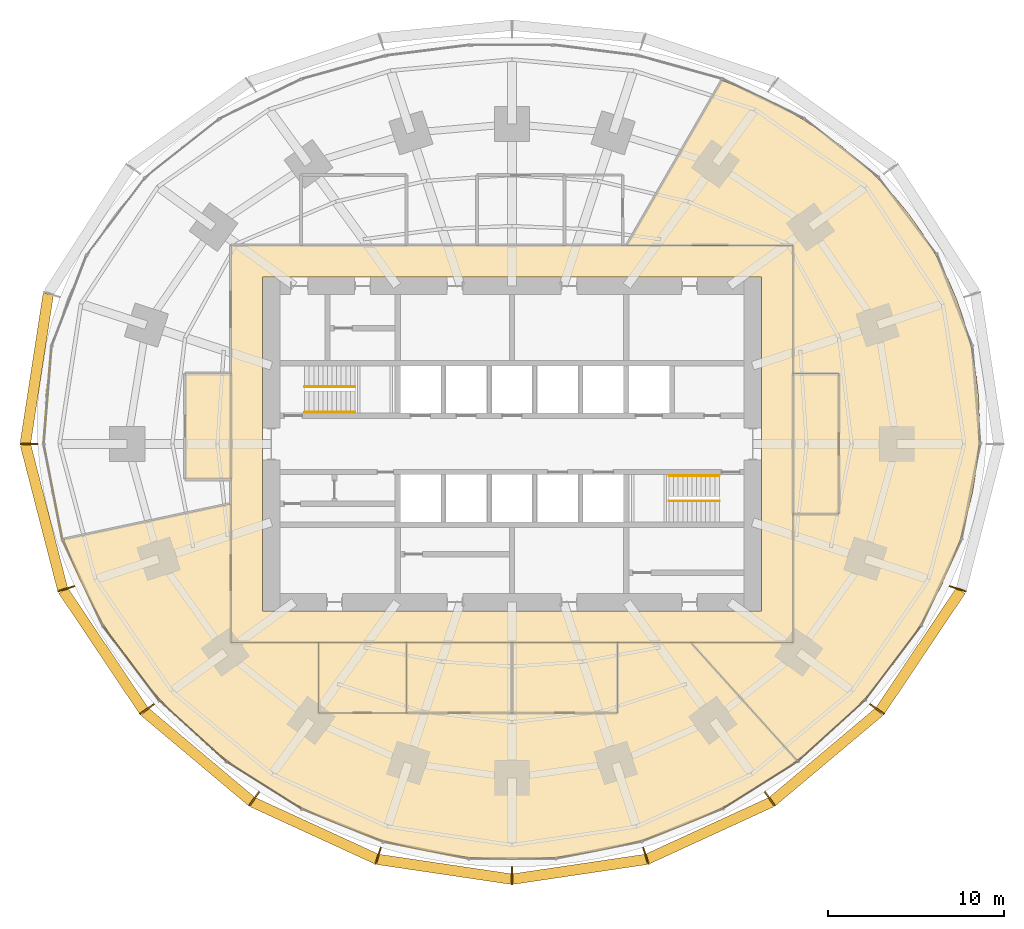
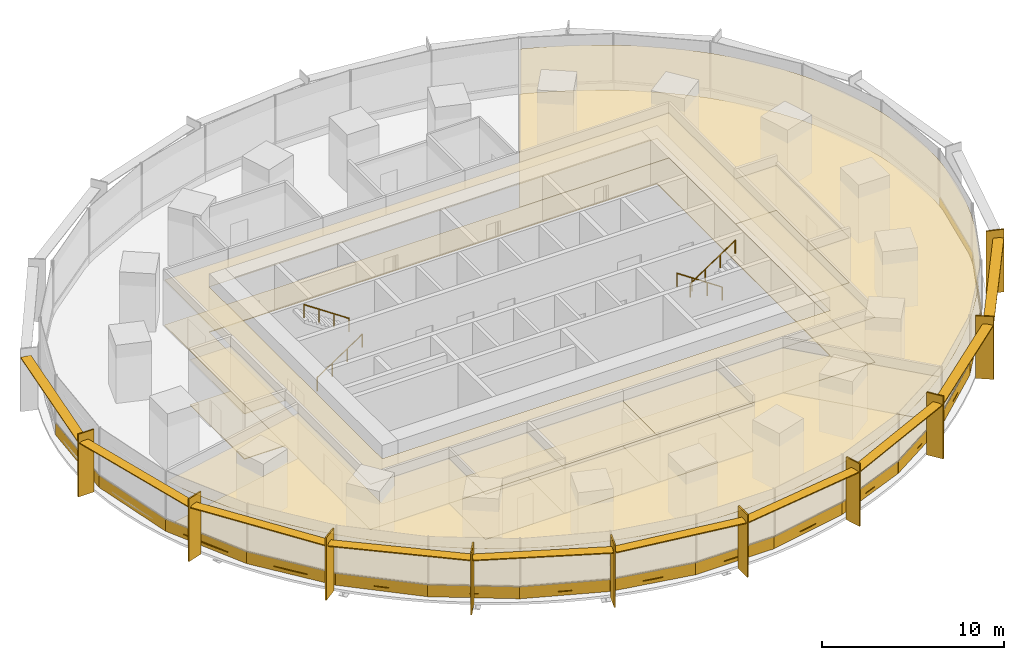
# One storey, part 14 of 15: 32 coverings, 20 shading devices, 4 railings.
"""IFC4 building model written with IfcOpenShell, lengths in metres."""

import ifcopenshell
import ifcopenshell.guid

model = None  # the IFC model being written
_history = None  # IfcOwnerHistory: only IFC2X3 demands one
_inside = {}  # id of a spatial element -> (the spatial element, [elements in it])
_under = {}  # id of a project, library or spatial element -> (it, [spatial elements below it])
_declared = {}  # id of a project -> (the project, [libraries it declares])
_typed = {}  # id of a type object -> (the type object, [elements of that type])
_made_of = {}  # id of a material, layer set ... -> (it, [elements and type objects made of it])


def new_model(schema):
    """Start an empty IFC model of exactly this schema.

    Asked for "IFC4X3", IfcOpenShell would pick the latest addendum, in which some entities
    have other attributes; the version numbers below select the first issue.
    IFC2X3 requires an IfcOwnerHistory on every rooted entity: one is made here for all.
    """
    global model, _history
    if schema == "IFC4X3":
        model = ifcopenshell.file(schema_version=(4, 3, 0, 0))
    else:
        model = ifcopenshell.file(schema=schema)
    _inside.clear()
    _under.clear()
    _declared.clear()
    _typed.clear()
    _made_of.clear()
    _history = None
    if model.schema == "IFC2X3":
        org = make("IfcOrganization", Name="unknown")
        user = make(
            "IfcPersonAndOrganization",
            ThePerson=make("IfcPerson", FamilyName="unknown"),
            TheOrganization=org,
        )
        app = make(
            "IfcApplication",
            ApplicationDeveloper=org,
            Version="unknown",
            ApplicationFullName="unknown",
            ApplicationIdentifier="unknown",
        )
        _history = make(
            "IfcOwnerHistory",
            OwningUser=user,
            OwningApplication=app,
            ChangeAction="ADDED",
            CreationDate=0,
        )
    return model


def make(cls, **values):
    """One entity of the class cls with the attributes given. An attribute that is None is left unset."""
    return model.create_entity(
        cls, **{name: value for name, value in values.items() if value is not None}
    )


def rooted(cls, **values):
    """An entity with a GlobalId (a new one), such as an element, a storey or a relation."""
    return make(cls, GlobalId=ifcopenshell.guid.new(), OwnerHistory=_history, **values)


def si_unit(unit_type, name, prefix=None):
    """IfcSIUnit, for example si_unit("LENGTHUNIT", "METRE", prefix="MILLI")."""
    return make("IfcSIUnit", UnitType=unit_type, Prefix=prefix, Name=name)


def assignment(units):
    """IfcUnitAssignment: the units of a project."""
    return None if units is None else make("IfcUnitAssignment", Units=units)


def point(xyz):
    """IfcCartesianPoint."""
    return None if xyz is None else make("IfcCartesianPoint", Coordinates=xyz)


def direction(xyz):
    """IfcDirection."""
    return None if xyz is None else make("IfcDirection", DirectionRatios=xyz)


def frame(location, z_axis=None, x_axis=None):
    """IfcAxis2Placement3D, a coordinate frame: its origin and axes. An axis left out is left unset."""
    return make(
        "IfcAxis2Placement3D",
        Location=point(location),
        Axis=direction(z_axis),
        RefDirection=direction(x_axis),
    )


def frame_2d(location, x_axis=None):
    """IfcAxis2Placement2D, a coordinate frame in the plane: its origin and x axis."""
    return make(
        "IfcAxis2Placement2D", Location=point(location), RefDirection=direction(x_axis)
    )


def origin():
    """The frame at (0, 0, 0) with its axes left unset."""
    return frame((0.0, 0.0, 0.0))


def origin_2d():
    """The frame at (0, 0) in the plane with its x axis left unset."""
    return frame_2d((0.0, 0.0))


def place(relative_to, where):
    """IfcLocalPlacement: puts the frame where relative to a parent placement (None: the world)."""
    return make(
        "IfcLocalPlacement", PlacementRelTo=relative_to, RelativePlacement=where
    )


def context(
    kind, dimensions, precision=None, world=None, true_north=None, identifier=None
):
    """IfcGeometricRepresentationContext, for example the 3D "Model" context."""
    return make(
        "IfcGeometricRepresentationContext",
        ContextIdentifier=identifier,
        ContextType=kind,
        CoordinateSpaceDimension=dimensions,
        Precision=precision,
        WorldCoordinateSystem=world,
        TrueNorth=true_north,
    )


def subcontext(parent, identifier, kind, view, scale=None):
    """IfcGeometricRepresentationSubContext, for example "Body" below "Model"."""
    return make(
        "IfcGeometricRepresentationSubContext",
        ContextIdentifier=identifier,
        ContextType=kind,
        ParentContext=parent,
        TargetScale=scale,
        TargetView=view,
    )


def project(units=None, contexts=None):
    """IfcProject with its units and contexts."""
    return rooted(
        "IfcProject",
        Name="project",
        RepresentationContexts=contexts,
        UnitsInContext=assignment(units),
    )


def spatial(cls, under=None, at=None, **own):
    """A site, building, storey or space (cls), placed at a placement, below another one or the project."""
    s = rooted(cls, ObjectPlacement=at, **own)
    if under is not None:
        _under.setdefault(under.id(), (under, []))[1].append(s)
    return s


def polyline(points):
    """IfcPolyline through the points."""
    return make("IfcPolyline", Points=[point(p) for p in points])


def profile(cls, at=None, kind="AREA", **sizes):
    """A parametric profile (cls). Its sizes go by their IFC names, for example OverallWidth=200.0."""
    return make(cls, ProfileType=kind, Position=at, **sizes)


def rectangle(**sizes):
    """IfcRectangleProfileDef."""
    return profile("IfcRectangleProfileDef", **sizes)


def circle(**sizes):
    """IfcCircleProfileDef."""
    return profile("IfcCircleProfileDef", **sizes)


def outline(outer, holes=None, kind="AREA"):
    """IfcArbitraryClosedProfileDef: a profile drawn as a closed curve; with holes, ...WithVoids."""
    if holes is None:
        return make("IfcArbitraryClosedProfileDef", ProfileType=kind, OuterCurve=outer)
    return make(
        "IfcArbitraryProfileDefWithVoids",
        ProfileType=kind,
        OuterCurve=outer,
        InnerCurves=holes,
    )


def extrude(swept, where, along, depth):
    """IfcExtrudedAreaSolid: the profile swept, set in the frame where, extruded along a direction by depth."""
    return make(
        "IfcExtrudedAreaSolid",
        SweptArea=swept,
        Position=where,
        ExtrudedDirection=direction(along),
        Depth=depth,
    )


def shape(context_of_items, identifier, shape_type, items):
    """IfcShapeRepresentation: the items that make up one representation, for example the "Body"."""
    return make(
        "IfcShapeRepresentation",
        ContextOfItems=context_of_items,
        RepresentationIdentifier=identifier,
        RepresentationType=shape_type,
        Items=items,
    )


def material(Name=None, Category=None):
    """IfcMaterial."""
    return make("IfcMaterial", Name=Name, Category=Category)


def layer(
    of_material, thickness, ventilated=None, Name=None, Category=None, Priority=None
):
    """IfcMaterialLayer: one layer of a wall or slab, of a material (None: an air gap)."""
    return make(
        "IfcMaterialLayer",
        Material=of_material,
        LayerThickness=thickness,
        IsVentilated=ventilated,
        Name=Name,
        Category=Category,
        Priority=Priority,
    )


def layer_set(layers, Name=None):
    """IfcMaterialLayerSet."""
    return make("IfcMaterialLayerSet", MaterialLayers=layers, LayerSetName=Name)


def made_of(thing, what):
    """Note that an element or type object is made of a material, layer set ...; save() writes the relation."""
    if what is not None:
        _made_of.setdefault(what.id(), (what, []))[1].append(thing)
    return thing


def type_object(cls, material=None, **own):
    """A type object (cls), such as IfcWallType, which elements share."""
    return made_of(rooted(cls, **own), material)


def element(
    cls,
    number,
    at=None,
    inside=None,
    cuts=None,
    type_object=None,
    material=None,
    context=None,
    identifier="Body",
    shape_type=None,
    held_by="IfcProductDefinitionShape",
    body=None,
    shapes=None,
    **own,
):
    """One element of the class cls, such as IfcWall. Its Tag is "e" and its number.

    at: its placement. inside: the storey or other place that contains it. cuts: it is an
    opening in that element (IfcRelVoidsElement). A single representation is given by context,
    identifier, shape_type and body (its items); several are given by shapes. held_by: the class
    of the entity that holds the representations. save() writes the other relations.
    """
    e = rooted(cls, Tag="e%d" % number, ObjectPlacement=at, **own)
    if body is not None:
        shapes = [shape(context, identifier, shape_type, body)]
    if shapes is not None:
        e.Representation = make(held_by, Representations=shapes)
    if inside is not None:
        _inside.setdefault(inside.id(), (inside, []))[1].append(e)
    if cuts is not None:
        rooted(
            "IfcRelVoidsElement", RelatingBuildingElement=cuts, RelatedOpeningElement=e
        )
    if type_object is not None:
        _typed.setdefault(type_object.id(), (type_object, []))[1].append(e)
    return made_of(e, material)


def aggregate(whole, parts):
    """IfcRelAggregates: a whole, such as a stair, and the parts it consists of."""
    return rooted("IfcRelAggregates", RelatingObject=whole, RelatedObjects=parts)


def save(model, path):
    """Write the relations noted so far, then the file.

    IfcRelAggregates (storeys below a building ...), IfcRelContainedInSpatialStructure (elements
    in a storey), IfcRelDefinesByType, IfcRelAssociatesMaterial and IfcRelDeclares: one each for
    every whole, place, type object, material and project.
    """
    for whole, parts in _under.values():
        aggregate(whole, parts)
    for where, things in _inside.values():
        rooted(
            "IfcRelContainedInSpatialStructure",
            RelatedElements=things,
            RelatingStructure=where,
        )
    for kind, things in _typed.values():
        rooted("IfcRelDefinesByType", RelatedObjects=things, RelatingType=kind)
    for what, things in _made_of.values():
        rooted("IfcRelAssociatesMaterial", RelatedObjects=things, RelatingMaterial=what)
    for by, libraries in _declared.values():
        rooted("IfcRelDeclares", RelatingContext=by, RelatedDefinitions=libraries)
    model.write(path)


model = new_model("IFC4")

# Units and contexts
model_context = context("Model", 3, precision=1e-05, world=origin(), true_north=direction((0.0, 1.0)))
body_context = subcontext(model_context, "Body", "Model", "MODEL_VIEW")
ifc_project = project(units=[si_unit("LENGTHUNIT", "METRE"), si_unit("AREAUNIT", "SQUARE_METRE"), si_unit("VOLUMEUNIT", "CUBIC_METRE"), si_unit("PLANEANGLEUNIT", "RADIAN"), si_unit("MASSUNIT", "GRAM", prefix="KILO")], contexts=[model_context])

# Site, building, storey
site_placement = place(None, origin())
site = spatial("IfcSite", under=ifc_project, at=site_placement, CompositionType="ELEMENT")
building_placement = place(site_placement, origin())
building = spatial("IfcBuilding", under=site, at=building_placement, Name="Marramba Exchange Tower", CompositionType="ELEMENT")
storey_placement = place(building_placement, frame((0.0, 0.0, 49.0)))
storey = spatial("IfcBuildingStorey", under=building, at=storey_placement, Name="L11", CompositionType="ELEMENT", Elevation=49.0)

# Shading devices
ifc_material_1 = material(Name="Aluminium blade, timber-look bronze finish", Category="wood")
ifc_layer_1 = layer(ifc_material_1, 0.080078125)
ifc_layer_set_1 = layer_set([ifc_layer_1], Name="Floor-edge blade 1000x80")
shading_device_type_1 = type_object("IfcShadingDeviceType", Name="Floor-edge blade 1000x80", PredefinedType="USERDEFINED", material=ifc_layer_set_1)
for number, where, z_axis, x_axis, name in (
    (1, (-27.5, 0.0, -0.16015625), (0.0, 0.0, 1.0), (-1.0, 0.0, 0.0), "Floor-edge blade FB1 L11 TC11"),
    (2, (-25.3740234375, -8.24462890625, -0.16015625), (0.0, 0.0, 1.0), (-0.951056516295, -0.309016994375, 0.0), "Floor-edge blade FB1 L11 TC12"),
    (3, (-20.773193359375, -15.092529296875, -0.16015625), (0.0, 0.0, 1.0), (-0.809016994375, -0.587785252292, 0.0), "Floor-edge blade FB1 L11 TC13"),
    (4, (-14.6787109375, -20.20361328125, -0.16015625), (0.0, 0.0, 1.0), (-0.587785252292, -0.809016994375, 0.0), "Floor-edge blade FB1 L11 TC14"),
    (5, (-7.61767578125, -23.444580078125, -0.16015625), (0.0, 0.0, 1.0), (-0.309016994375, -0.951056516295, 0.0), "Floor-edge blade FB1 L11 TC15"),
    (6, (0.0, -24.572021484375, -0.16015625), (0.0, 0.0, 1.0), (0.0, -1.0, 0.0), "Floor-edge blade FB1 L11 TC16"),
    (7, (7.61767578125, -23.444580078125, -0.16015625), (0.0, 0.0, 1.0), (0.309016994375, -0.951056516295, 0.0), "Floor-edge blade FB1 L11 TC17"),
    (8, (14.6787109375, -20.20361328125, -0.16015625), (0.0, 0.0, 1.0), (0.587785252292, -0.809016994375, 0.0), "Floor-edge blade FB1 L11 TC18"),
    (9, (20.773193359375, -15.092529296875, -0.16015625), (0.0, 0.0, 1.0), (0.809016994375, -0.587785252292, 0.0), "Floor-edge blade FB1 L11 TC19"),
    (10, (25.3740234375, -8.24462890625, -0.16015625), (0.0, 0.0, 1.0), (0.951056516295, -0.309016994375, 0.0), "Floor-edge blade FB1 L11 TC20"),
):
    element("IfcShadingDevice", number, at=place(storey_placement, frame(where, z_axis=z_axis, x_axis=x_axis)), inside=storey, type_object=shading_device_type_1, Name=name, ObjectType="FIN", PredefinedType="USERDEFINED", context=body_context, shape_type="SweptSolid", body=[
        extrude(rectangle(XDim=1.0, YDim=0.080078125, at=origin_2d()), origin(), (0.0, 0.0, 1.0), 4.199951171875),
    ])

# Coverings
ifc_material_2 = material(Name="Steel raised access floor panels", Category="steel")
ifc_layer_2 = layer(ifc_material_2, 0.050048828125)
ifc_layer_set_2 = layer_set([ifc_layer_2], Name="Raised access floor 300")
covering_type_1 = type_object("IfcCoveringType", Name="Raised access floor 300", PredefinedType="FLOORING", material=ifc_layer_set_2)
covering_1_placement = place(storey_placement, frame((0.0, 0.0, 0.25)))
element("IfcCovering", 11, at=covering_1_placement, inside=storey, type_object=covering_type_1, Name="Raised access floor RAF1 L11 Trading Floor 1", PredefinedType="FLOORING", context=body_context, shape_type="SweptSolid", body=[
    extrude(outline(polyline([(16.0, -4.0), (18.60009765625, -4.0), (18.60009765625, 4.0), (16.0, 4.0), (16.0, 11.300048828125), (6.524169921875, 11.300048828125), (11.94921875, 20.69677734375), (13.135986328125, 20.2275390625), (14.31103515625, 19.697509765625), (15.4697265625, 19.103759765625), (16.60693359375, 18.44384765625), (17.71630859375, 17.71630859375), (18.791259765625, 16.919677734375), (19.8251953125, 16.05419921875), (20.810791015625, 15.119873046875), (21.740478515625, 14.118408203125), (22.607177734375, 13.05224609375), (23.40380859375, 11.9248046875), (24.12353515625, 10.740478515625), (24.76025390625, 9.50439453125), (25.30859375, 8.22314453125), (25.763916015625, 6.9033203125), (26.123291015625, 5.552734375), (26.3837890625, 4.1787109375), (26.544921875, 2.7900390625), (26.6064453125, 1.394287109375), (26.570068359375, 0.0), (26.43798828125, -1.385498046875), (26.213623046875, -2.755126953125), (25.9013671875, -4.102294921875), (25.50634765625, -5.421630859375), (25.033935546875, -6.707763671875), (24.489501953125, -7.95703125), (23.879150390625, -9.166259765625), (23.208251953125, -10.3330078125), (22.482177734375, -11.455322265625), (21.7060546875, -12.531982421875), (20.88427734375, -13.5625), (20.020751953125, -14.5458984375), (19.119384765625, -15.482421875), (18.1826171875, -16.371826171875), (17.213623046875, -17.213623046875), (16.21435546875, -18.0078125), (10.174560546875, -11.300048828125), (16.0, -11.300048828125), (16.0, -4.0)])), origin(), (0.0, 0.0, 1.0), 0.050048828125),
])
covering_2_placement = place(storey_placement, frame((0.0, 0.0, 0.25)))
element("IfcCovering", 12, at=covering_2_placement, inside=storey, type_object=covering_type_1, Name="Raised access floor RAF1 L11 Trading Floor 3", PredefinedType="FLOORING", context=body_context, shape_type="SweptSolid", body=[
    extrude(outline(polyline([(-11.0, -11.300048828125), (-11.0, -15.300048828125), (-6.0, -15.300048828125), (0.0, -15.300048828125), (6.0, -15.300048828125), (6.0, -11.300048828125), (10.174560546875, -11.300048828125), (16.21435546875, -18.0078125), (15.1865234375, -18.75390625), (14.132080078125, -19.451171875), (13.052490234375, -20.09912109375), (11.94921875, -20.69677734375), (10.82373046875, -21.242919921875), (9.677734375, -21.736328125), (8.512451171875, -22.17578125), (7.330078125, -22.56005859375), (6.1328125, -22.8876953125), (4.92236328125, -23.15771484375), (3.701416015625, -23.368896484375), (2.47216796875, -23.5205078125), (1.2373046875, -23.611572265625), (0.0, -23.64208984375), (-1.2373046875, -23.611572265625), (-2.47216796875, -23.5205078125), (-3.701416015625, -23.368896484375), (-4.92236328125, -23.15771484375), (-6.1328125, -22.8876953125), (-7.330078125, -22.56005859375), (-8.512451171875, -22.17578125), (-9.677734375, -21.736328125), (-10.82373046875, -21.242919921875), (-11.94921875, -20.69677734375), (-13.052490234375, -20.09912109375), (-14.132080078125, -19.451171875), (-15.1865234375, -18.75390625), (-16.21435546875, -18.0078125), (-17.213623046875, -17.213623046875), (-18.1826171875, -16.371826171875), (-19.119384765625, -15.482421875), (-20.020751953125, -14.5458984375), (-20.88427734375, -13.5625), (-21.7060546875, -12.531982421875), (-22.482177734375, -11.455322265625), (-23.208251953125, -10.3330078125), (-23.879150390625, -9.166259765625), (-24.489501953125, -7.95703125), (-25.033935546875, -6.707763671875), (-25.50634765625, -5.421630859375), (-16.906494140625, -3.593505859375), (-16.0, -3.40087890625), (-16.0, -11.300048828125), (-11.0, -11.300048828125)])), origin(), (0.0, 0.0, 1.0), 0.050048828125),
])
covering_3_placement = place(storey_placement, frame((0.0, 0.0, 0.25)))
element("IfcCovering", 13, at=covering_3_placement, inside=storey, type_object=covering_type_1, Name="Raised access floor RAF1 L11 Corridor", PredefinedType="FLOORING", context=body_context, shape_type="SweptSolid", body=[
    extrude(outline(polyline([(-16.0, 11.300048828125), (16.0, 11.300048828125), (16.0, -11.300048828125), (-16.0, -11.300048828125), (-16.0, 11.300048828125)]), holes=[polyline([(-14.199951171875, 9.5), (-14.199951171875, -9.5), (14.199951171875, -9.5), (14.199951171875, 9.5), (-14.199951171875, 9.5)])]), origin(), (0.0, 0.0, 1.0), 0.050048828125),
])
covering_4_placement = place(storey_placement, frame((0.0, 0.0, 0.25)))
element("IfcCovering", 14, at=covering_4_placement, inside=storey, type_object=covering_type_1, Name="Raised access floor RAF1 L11 Data Room 1", PredefinedType="FLOORING", context=body_context, shape_type="SweptSolid", body=[
    extrude(outline(polyline([(18.60009765625, -4.0), (16.0, -4.0), (16.0, 4.0), (18.60009765625, 4.0), (18.60009765625, -4.0)])), origin(), (0.0, 0.0, 1.0), 0.050048828125),
])
covering_5_placement = place(storey_placement, frame((0.0, 0.0, 0.25)))
element("IfcCovering", 15, at=covering_5_placement, inside=storey, type_object=covering_type_1, Name="Raised access floor RAF1 L11 Data Room 2", PredefinedType="FLOORING", context=body_context, shape_type="SweptSolid", body=[
    extrude(outline(polyline([(-16.0, -2.0), (-18.60009765625, -2.0), (-18.60009765625, 4.0), (-16.0, 4.0), (-16.0, -2.0)])), origin(), (0.0, 0.0, 1.0), 0.050048828125),
])
covering_6_placement = place(storey_placement, frame((0.0, 0.0, 0.25)))
element("IfcCovering", 16, at=covering_6_placement, inside=storey, type_object=covering_type_1, Name="Raised access floor RAF1 L11 Data Room 3", PredefinedType="FLOORING", context=body_context, shape_type="SweptSolid", body=[
    extrude(outline(polyline([(0.0, -15.300048828125), (-6.0, -15.300048828125), (-6.0, -11.300048828125), (0.0, -11.300048828125), (0.0, -15.300048828125)])), origin(), (0.0, 0.0, 1.0), 0.050048828125),
])
covering_7_placement = place(storey_placement, frame((0.0, 0.0, 0.25)))
element("IfcCovering", 17, at=covering_7_placement, inside=storey, type_object=covering_type_1, Name="Raised access floor RAF1 L11 Meeting Room 3", PredefinedType="FLOORING", context=body_context, shape_type="SweptSolid", body=[
    extrude(outline(polyline([(6.0, -15.300048828125), (0.0, -15.300048828125), (0.0, -11.300048828125), (6.0, -11.300048828125), (6.0, -15.300048828125)])), origin(), (0.0, 0.0, 1.0), 0.050048828125),
])
covering_8_placement = place(storey_placement, frame((0.0, 0.0, 0.25)))
element("IfcCovering", 18, at=covering_8_placement, inside=storey, type_object=covering_type_1, Name="Raised access floor RAF1 L11 Pantry 2", PredefinedType="FLOORING", context=body_context, shape_type="SweptSolid", body=[
    extrude(outline(polyline([(-6.0, -15.300048828125), (-11.0, -15.300048828125), (-11.0, -11.300048828125), (-6.0, -11.300048828125), (-6.0, -15.300048828125)])), origin(), (0.0, 0.0, 1.0), 0.050048828125),
])

# Shading devices
ifc_material_3 = material(Name="Aluminium sunshade, bronze anodised", Category="aluminium")
ifc_layer_3 = layer(ifc_material_3, 0.06005859375)
ifc_layer_set_3 = layer_set([ifc_layer_3], Name="SUNSHADE blade 600x60")
shading_device_type_2 = type_object("IfcShadingDeviceType", Name="SUNSHADE blade 600x60", PredefinedType="USERDEFINED", material=ifc_layer_set_3)
shading_device_1_placement = place(storey_placement, frame((-27.04150390625, 4.2861328125, 3.4599609375), z_axis=(0.0, 0.0, 1.0), x_axis=(-0.151825486228, -0.988407315701, 0.0)))
element("IfcShadingDevice", 19, at=shading_device_1_placement, inside=storey, type_object=shading_device_type_2, Name="Sunshade SS1 L11 bay 10", ObjectType="SUNSHADE", PredefinedType="USERDEFINED", context=body_context, shape_type="SweptSolid", body=[
    extrude(rectangle(XDim=8.593017578125, YDim=0.60009765625, at=origin_2d()), origin(), (0.0, 0.0, 1.0), 0.06005859375),
])
shading_device_2_placement = place(storey_placement, frame((-26.632080078125, -4.153076171875, 3.4599609375), z_axis=(0.0, 0.0, 1.0), x_axis=(0.249024641331, -0.968497149201, 0.0)))
element("IfcShadingDevice", 20, at=shading_device_2_placement, inside=storey, type_object=shading_device_type_2, Name="Sunshade SS1 L11 bay 11", ObjectType="SUNSHADE", PredefinedType="USERDEFINED", context=body_context, shape_type="SweptSolid", body=[
    extrude(rectangle(XDim=8.49658203125, YDim=0.60009765625, at=origin_2d()), origin(), (0.0, 0.0, 1.0), 0.06005859375),
])
shading_device_3_placement = place(storey_placement, frame((-23.24951171875, -11.75830078125, 3.4599609375), z_axis=(0.0, 0.0, 1.0), x_axis=(0.556924164761, -0.830563347798, 0.0)))
element("IfcShadingDevice", 21, at=shading_device_3_placement, inside=storey, type_object=shading_device_type_2, Name="Sunshade SS1 L11 bay 12", ObjectType="SUNSHADE", PredefinedType="USERDEFINED", context=body_context, shape_type="SweptSolid", body=[
    extrude(rectangle(XDim=8.232177734375, YDim=0.60009765625, at=origin_2d()), origin(), (0.0, 0.0, 1.0), 0.06005859375),
])
shading_device_4_placement = place(storey_placement, frame((-17.86572265625, -17.787841796875, 3.4599609375), z_axis=(0.0, 0.0, 1.0), x_axis=(0.765776068523, -0.643107310546, 0.0)))
element("IfcShadingDevice", 22, at=shading_device_4_placement, inside=storey, type_object=shading_device_type_2, Name="Sunshade SS1 L11 bay 13", ObjectType="SUNSHADE", PredefinedType="USERDEFINED", context=body_context, shape_type="SweptSolid", body=[
    extrude(rectangle(XDim=7.936279296875, YDim=0.60009765625, at=origin_2d()), origin(), (0.0, 0.0, 1.0), 0.06005859375),
])
shading_device_5_placement = place(storey_placement, frame((-11.23779296875, -22.0, 3.4599609375), z_axis=(0.0, 0.0, 1.0), x_axis=(0.908703542008, -0.417442059144, 0.0)))
element("IfcShadingDevice", 23, at=shading_device_5_placement, inside=storey, type_object=shading_device_type_2, Name="Sunshade SS1 L11 bay 14", ObjectType="SUNSHADE", PredefinedType="USERDEFINED", context=body_context, shape_type="SweptSolid", body=[
    extrude(rectangle(XDim=7.751953125, YDim=0.60009765625, at=origin_2d()), origin(), (0.0, 0.0, 1.0), 0.06005859375),
])
for number, where, z_axis, x_axis, name in (
    (24, (-3.839599609375, -24.203369140625, 3.4599609375), (0.0, 0.0, 1.0), (0.989212895923, -0.146484970356, 0.0), "Sunshade SS1 L11 bay 15"),
    (25, (3.839599609375, -24.203369140625, 3.4599609375), (0.0, 0.0, 1.0), (0.989212895923, 0.146484970356, 0.0), "Sunshade SS1 L11 bay 16"),
):
    element("IfcShadingDevice", number, at=place(storey_placement, frame(where, z_axis=z_axis, x_axis=x_axis)), inside=storey, type_object=shading_device_type_2, Name=name, ObjectType="SUNSHADE", PredefinedType="USERDEFINED", context=body_context, shape_type="SweptSolid", body=[
        extrude(rectangle(XDim=7.68310546875, YDim=0.60009765625, at=origin_2d()), origin(), (0.0, 0.0, 1.0), 0.06005859375),
    ])
shading_device_6_placement = place(storey_placement, frame((11.23779296875, -22.0, 3.4599609375), z_axis=(0.0, 0.0, 1.0), x_axis=(0.908703542008, 0.417442059144, 0.0)))
element("IfcShadingDevice", 26, at=shading_device_6_placement, inside=storey, type_object=shading_device_type_2, Name="Sunshade SS1 L11 bay 17", ObjectType="SUNSHADE", PredefinedType="USERDEFINED", context=body_context, shape_type="SweptSolid", body=[
    extrude(rectangle(XDim=7.751953125, YDim=0.60009765625, at=origin_2d()), origin(), (0.0, 0.0, 1.0), 0.06005859375),
])
shading_device_7_placement = place(storey_placement, frame((17.86572265625, -17.787841796875, 3.4599609375), z_axis=(0.0, 0.0, 1.0), x_axis=(0.765776068523, 0.643107310546, 0.0)))
element("IfcShadingDevice", 27, at=shading_device_7_placement, inside=storey, type_object=shading_device_type_2, Name="Sunshade SS1 L11 bay 18", ObjectType="SUNSHADE", PredefinedType="USERDEFINED", context=body_context, shape_type="SweptSolid", body=[
    extrude(rectangle(XDim=7.936279296875, YDim=0.60009765625, at=origin_2d()), origin(), (0.0, 0.0, 1.0), 0.06005859375),
])
shading_device_8_placement = place(storey_placement, frame((23.24951171875, -11.75830078125, 3.4599609375), z_axis=(0.0, 0.0, 1.0), x_axis=(0.556924164761, 0.830563347798, 0.0)))
element("IfcShadingDevice", 28, at=shading_device_8_placement, inside=storey, type_object=shading_device_type_2, Name="Sunshade SS1 L11 bay 19", ObjectType="SUNSHADE", PredefinedType="USERDEFINED", context=body_context, shape_type="SweptSolid", body=[
    extrude(rectangle(XDim=8.232177734375, YDim=0.60009765625, at=origin_2d()), origin(), (0.0, 0.0, 1.0), 0.06005859375),
])

# Coverings
ifc_material_4 = material(Name="Aluminium spandrel panel, bronze anodised, insulated", Category="aluminium")
ifc_layer_4 = layer(ifc_material_4, 0.050048828125)
ifc_layer_set_4 = layer_set([ifc_layer_4], Name="Spandrel panel 800")
covering_type_2 = type_object("IfcCoveringType", Name="Spandrel panel 800", PredefinedType="CLADDING", material=ifc_layer_set_4)
covering_9_placement = place(storey_placement, frame((-26.42578125, 2.78466796875, 0.0), z_axis=(0.0, 0.0, 1.0), x_axis=(-0.080275227657, -0.996772736297, 0.0)))
element("IfcCovering", 29, at=covering_9_placement, inside=storey, type_object=covering_type_2, Name="Spandrel panel SP1 L11 F15", PredefinedType="CLADDING", context=body_context, shape_type="SweptSolid", body=[
    extrude(rectangle(XDim=5.58740234375, YDim=0.050048828125, at=origin_2d()), origin(), (0.0, 0.0, 1.0), 0.800048828125),
])
covering_10_placement = place(storey_placement, frame((-26.117431640625, -2.718994140625, 0.0), z_axis=(0.0, 0.0, 1.0), x_axis=(0.19224858127, -0.981346260501, 0.0)))
element("IfcCovering", 30, at=covering_10_placement, inside=storey, type_object=covering_type_2, Name="Spandrel panel SP1 L11 F16", PredefinedType="CLADDING", context=body_context, shape_type="SweptSolid", body=[
    extrude(rectangle(XDim=5.54150390625, YDim=0.050048828125, at=origin_2d()), origin(), (0.0, 0.0, 1.0), 0.800048828125),
])
covering_11_placement = place(storey_placement, frame((-24.432861328125, -7.90185546875, 0.0), z_axis=(0.0, 0.0, 1.0), x_axis=(0.423477213559, -0.905906755464, 0.0)))
element("IfcCovering", 31, at=covering_11_placement, inside=storey, type_object=covering_type_2, Name="Spandrel panel SP1 L11 F17", PredefinedType="CLADDING", context=body_context, shape_type="SweptSolid", body=[
    extrude(rectangle(XDim=5.439208984375, YDim=0.050048828125, at=origin_2d()), origin(), (0.0, 0.0, 1.0), 0.800048828125),
])
covering_12_placement = place(storey_placement, frame((-21.683349609375, -12.479248046875, 0.0), z_axis=(0.0, 0.0, 1.0), x_axis=(0.603040469481, -0.797710594243, 0.0)))
element("IfcCovering", 32, at=covering_12_placement, inside=storey, type_object=covering_type_2, Name="Spandrel panel SP1 L11 F18", PredefinedType="CLADDING", context=body_context, shape_type="SweptSolid", body=[
    extrude(rectangle(XDim=5.299560546875, YDim=0.050048828125, at=origin_2d()), origin(), (0.0, 0.0, 1.0), 0.800048828125),
])
covering_13_placement = place(storey_placement, frame((-18.1767578125, -16.330078125, 0.0), z_axis=(0.0, 0.0, 1.0), x_axis=(0.739589582203, -0.673058132628, 0.0)))
element("IfcCovering", 33, at=covering_13_placement, inside=storey, type_object=covering_type_2, Name="Spandrel panel SP1 L11 F19", PredefinedType="CLADDING", context=body_context, shape_type="SweptSolid", body=[
    extrude(rectangle(XDim=5.161865234375, YDim=0.050048828125, at=origin_2d()), origin(), (0.0, 0.0, 1.0), 0.800048828125),
])
covering_14_placement = place(storey_placement, frame((-14.128662109375, -19.416748046875, 0.0), z_axis=(0.0, 0.0, 1.0), x_axis=(0.845790829799, -0.533514641062, 0.0)))
element("IfcCovering", 34, at=covering_14_placement, inside=storey, type_object=covering_type_2, Name="Spandrel panel SP1 L11 F20", PredefinedType="CLADDING", context=body_context, shape_type="SweptSolid", body=[
    extrude(rectangle(XDim=5.05859375, YDim=0.050048828125, at=origin_2d()), origin(), (0.0, 0.0, 1.0), 0.800048828125),
])
covering_15_placement = place(storey_placement, frame((-9.672119140625, -21.701171875, 0.0), z_axis=(0.0, 0.0, 1.0), x_axis=(0.927340675001, -0.374218215069, 0.0)))
element("IfcCovering", 35, at=covering_15_placement, inside=storey, type_object=covering_type_2, Name="Spandrel panel SP1 L11 F21", PredefinedType="CLADDING", context=body_context, shape_type="SweptSolid", body=[
    extrude(rectangle(XDim=4.99755859375, YDim=0.050048828125, at=origin_2d()), origin(), (0.0, 0.0, 1.0), 0.800048828125),
])
covering_16_placement = place(storey_placement, frame((-4.917724609375, -23.1181640625, 0.0), z_axis=(0.0, 0.0, 1.0), x_axis=(0.981009201842, -0.193961196898, 0.0)))
element("IfcCovering", 36, at=covering_16_placement, inside=storey, type_object=covering_type_2, Name="Spandrel panel SP1 L11 F22", PredefinedType="CLADDING", context=body_context, shape_type="SweptSolid", body=[
    extrude(rectangle(XDim=4.96875, YDim=0.050048828125, at=origin_2d()), origin(), (0.0, 0.0, 1.0), 0.800048828125),
])
covering_17_placement = place(storey_placement, frame((0.0, -23.599853515625, 0.0), z_axis=(0.0, 0.0, 1.0), x_axis=(1.0, 0.0, 0.0)))
element("IfcCovering", 37, at=covering_17_placement, inside=storey, type_object=covering_type_2, Name="Spandrel panel SP1 L11 F23", PredefinedType="CLADDING", context=body_context, shape_type="SweptSolid", body=[
    extrude(rectangle(XDim=4.9609375, YDim=0.050048828125, at=origin_2d()), origin(), (0.0, 0.0, 1.0), 0.800048828125),
])
covering_18_placement = place(storey_placement, frame((4.917724609375, -23.1181640625, 0.0), z_axis=(0.0, 0.0, 1.0), x_axis=(0.981009201842, 0.193961196898, 0.0)))
element("IfcCovering", 38, at=covering_18_placement, inside=storey, type_object=covering_type_2, Name="Spandrel panel SP1 L11 F24", PredefinedType="CLADDING", context=body_context, shape_type="SweptSolid", body=[
    extrude(rectangle(XDim=4.96875, YDim=0.050048828125, at=origin_2d()), origin(), (0.0, 0.0, 1.0), 0.800048828125),
])
covering_19_placement = place(storey_placement, frame((9.672119140625, -21.701171875, 0.0), z_axis=(0.0, 0.0, 1.0), x_axis=(0.927340675001, 0.374218215069, 0.0)))
element("IfcCovering", 39, at=covering_19_placement, inside=storey, type_object=covering_type_2, Name="Spandrel panel SP1 L11 F25", PredefinedType="CLADDING", context=body_context, shape_type="SweptSolid", body=[
    extrude(rectangle(XDim=4.99755859375, YDim=0.050048828125, at=origin_2d()), origin(), (0.0, 0.0, 1.0), 0.800048828125),
])
covering_20_placement = place(storey_placement, frame((14.128662109375, -19.416748046875, 0.0), z_axis=(0.0, 0.0, 1.0), x_axis=(0.845790829799, 0.533514641062, 0.0)))
element("IfcCovering", 40, at=covering_20_placement, inside=storey, type_object=covering_type_2, Name="Spandrel panel SP1 L11 F26", PredefinedType="CLADDING", context=body_context, shape_type="SweptSolid", body=[
    extrude(rectangle(XDim=5.05859375, YDim=0.050048828125, at=origin_2d()), origin(), (0.0, 0.0, 1.0), 0.800048828125),
])
covering_21_placement = place(storey_placement, frame((18.1767578125, -16.330078125, 0.0), z_axis=(0.0, 0.0, 1.0), x_axis=(0.739589582203, 0.673058132628, 0.0)))
element("IfcCovering", 41, at=covering_21_placement, inside=storey, type_object=covering_type_2, Name="Spandrel panel SP1 L11 F27", PredefinedType="CLADDING", context=body_context, shape_type="SweptSolid", body=[
    extrude(rectangle(XDim=5.161865234375, YDim=0.050048828125, at=origin_2d()), origin(), (0.0, 0.0, 1.0), 0.800048828125),
])
covering_22_placement = place(storey_placement, frame((21.683349609375, -12.479248046875, 0.0), z_axis=(0.0, 0.0, 1.0), x_axis=(0.603040469481, 0.797710594243, 0.0)))
element("IfcCovering", 42, at=covering_22_placement, inside=storey, type_object=covering_type_2, Name="Spandrel panel SP1 L11 F28", PredefinedType="CLADDING", context=body_context, shape_type="SweptSolid", body=[
    extrude(rectangle(XDim=5.299560546875, YDim=0.050048828125, at=origin_2d()), origin(), (0.0, 0.0, 1.0), 0.800048828125),
])
covering_23_placement = place(storey_placement, frame((24.432861328125, -7.90185546875, 0.0), z_axis=(0.0, 0.0, 1.0), x_axis=(0.423477213559, 0.905906755464, 0.0)))
element("IfcCovering", 43, at=covering_23_placement, inside=storey, type_object=covering_type_2, Name="Spandrel panel SP1 L11 F29", PredefinedType="CLADDING", context=body_context, shape_type="SweptSolid", body=[
    extrude(rectangle(XDim=5.439208984375, YDim=0.050048828125, at=origin_2d()), origin(), (0.0, 0.0, 1.0), 0.800048828125),
])
covering_24_placement = place(storey_placement, frame((26.117431640625, -2.718994140625, 0.0), z_axis=(0.0, 0.0, 1.0), x_axis=(0.19224858127, 0.981346260501, 0.0)))
element("IfcCovering", 44, at=covering_24_placement, inside=storey, type_object=covering_type_2, Name="Spandrel panel SP1 L11 F30", PredefinedType="CLADDING", context=body_context, shape_type="SweptSolid", body=[
    extrude(rectangle(XDim=5.54150390625, YDim=0.050048828125, at=origin_2d()), origin(), (0.0, 0.0, 1.0), 0.800048828125),
])

# Railings
ifc_material_5 = material(Name="Stainless steel handrail", Category="steel")
railing_type = type_object("IfcRailingType", Name="Stair handrail 900", PredefinedType="HANDRAIL", material=ifc_material_5)
railing_1_placement = place(storey_placement, frame((-11.800048828125, 1.800048828125, 0.175048828125)))
element("IfcRailing", 45, at=railing_1_placement, inside=storey, type_object=railing_type, Name="Handrail HR1 ST1 L11 flight 1", PredefinedType="HANDRAIL", context=body_context, shape_type="SweptSolid", body=[
    extrude(circle(Radius=0.02392578125, at=origin_2d()), frame((0.0, 0.0, 0.8759765625), z_axis=(0.829590901723, 0.0, 0.558371682465), x_axis=(0.0, 1.0, 0.0)), (0.0, 0.0, 1.0), 3.447509765625),
    extrude(circle(Radius=0.02099609375, at=origin_2d()), origin(), (0.0, 0.0, 1.0), 0.851806640625),
    extrude(circle(Radius=0.02099609375, at=origin_2d()), frame((0.953369140625, 0.0, 0.6416015625)), (0.0, 0.0, 1.0), 0.851806640625),
    extrude(circle(Radius=0.02099609375, at=origin_2d()), frame((1.90673828125, 0.0, 1.283447265625)), (0.0, 0.0, 1.0), 0.851806640625),
    extrude(circle(Radius=0.02099609375, at=origin_2d()), frame((2.860107421875, 0.0, 1.925048828125)), (0.0, 0.0, 1.0), 0.851806640625),
])
for number, where, name in (
    (46, (-8.93994140625, 3.25, 2.27490234375), "Handrail HR1 ST1 L11 flight 2"),
    (47, (11.800048828125, -1.800048828125, 0.175048828125), "Handrail HR1 ST2 L11 flight 1"),
):
    element("IfcRailing", number, at=place(storey_placement, frame(where)), inside=storey, type_object=railing_type, Name=name, PredefinedType="HANDRAIL", context=body_context, shape_type="SweptSolid", body=[
        extrude(circle(Radius=0.02392578125, at=origin_2d()), frame((0.0, 0.0, 0.8759765625), z_axis=(-0.829590901723, 0.0, 0.558371682465), x_axis=(0.0, -1.0, 0.0)), (0.0, 0.0, 1.0), 3.447509765625),
        extrude(circle(Radius=0.02099609375, at=origin_2d()), origin(), (0.0, 0.0, 1.0), 0.851806640625),
        extrude(circle(Radius=0.02099609375, at=origin_2d()), frame((-0.953369140625, 0.0, 0.6416015625)), (0.0, 0.0, 1.0), 0.851806640625),
        extrude(circle(Radius=0.02099609375, at=origin_2d()), frame((-1.90673828125, 0.0, 1.283447265625)), (0.0, 0.0, 1.0), 0.851806640625),
        extrude(circle(Radius=0.02099609375, at=origin_2d()), frame((-2.860107421875, 0.0, 1.925048828125)), (0.0, 0.0, 1.0), 0.851806640625),
    ])
railing_2_placement = place(storey_placement, frame((8.93994140625, -3.25, 2.27490234375)))
element("IfcRailing", 48, at=railing_2_placement, inside=storey, type_object=railing_type, Name="Handrail HR1 ST2 L11 flight 2", PredefinedType="HANDRAIL", context=body_context, shape_type="SweptSolid", body=[
    extrude(circle(Radius=0.02392578125, at=origin_2d()), frame((0.0, 0.0, 0.8759765625), z_axis=(0.829590901723, 0.0, 0.558371682465), x_axis=(0.0, 1.0, 0.0)), (0.0, 0.0, 1.0), 3.447509765625),
    extrude(circle(Radius=0.02099609375, at=origin_2d()), origin(), (0.0, 0.0, 1.0), 0.851806640625),
    extrude(circle(Radius=0.02099609375, at=origin_2d()), frame((0.953369140625, 0.0, 0.6416015625)), (0.0, 0.0, 1.0), 0.851806640625),
    extrude(circle(Radius=0.02099609375, at=origin_2d()), frame((1.90673828125, 0.0, 1.283447265625)), (0.0, 0.0, 1.0), 0.851806640625),
    extrude(circle(Radius=0.02099609375, at=origin_2d()), frame((2.860107421875, 0.0, 1.925048828125)), (0.0, 0.0, 1.0), 0.851806640625),
])

# Coverings
ifc_material_6 = material(Name="Mineral fibre ceiling tiles", Category="gypsum")
ifc_layer_5 = layer(ifc_material_6, 0.02001953125)
ifc_layer_set_5 = layer_set([ifc_layer_5], Name="Suspended ceiling 20")
covering_type_3 = type_object("IfcCoveringType", Name="Suspended ceiling 20", PredefinedType="CEILING", material=ifc_layer_set_5)
covering_25_placement = place(storey_placement, frame((0.0, 0.0, 3.300048828125)))
element("IfcCovering", 49, at=covering_25_placement, inside=storey, type_object=covering_type_3, Name="Ceiling CL1 L11 Trading Floor 1", PredefinedType="CEILING", context=body_context, shape_type="SweptSolid", body=[
    extrude(outline(polyline([(16.0, -4.0), (18.60009765625, -4.0), (18.60009765625, 4.0), (16.0, 4.0), (16.0, 11.300048828125), (6.524169921875, 11.300048828125), (11.94921875, 20.69677734375), (13.135986328125, 20.2275390625), (14.31103515625, 19.697509765625), (15.4697265625, 19.103759765625), (16.60693359375, 18.44384765625), (17.71630859375, 17.71630859375), (18.791259765625, 16.919677734375), (19.8251953125, 16.05419921875), (20.810791015625, 15.119873046875), (21.740478515625, 14.118408203125), (22.607177734375, 13.05224609375), (23.40380859375, 11.9248046875), (24.12353515625, 10.740478515625), (24.76025390625, 9.50439453125), (25.30859375, 8.22314453125), (25.763916015625, 6.9033203125), (26.123291015625, 5.552734375), (26.3837890625, 4.1787109375), (26.544921875, 2.7900390625), (26.6064453125, 1.394287109375), (26.570068359375, 0.0), (26.43798828125, -1.385498046875), (26.213623046875, -2.755126953125), (25.9013671875, -4.102294921875), (25.50634765625, -5.421630859375), (25.033935546875, -6.707763671875), (24.489501953125, -7.95703125), (23.879150390625, -9.166259765625), (23.208251953125, -10.3330078125), (22.482177734375, -11.455322265625), (21.7060546875, -12.531982421875), (20.88427734375, -13.5625), (20.020751953125, -14.5458984375), (19.119384765625, -15.482421875), (18.1826171875, -16.371826171875), (17.213623046875, -17.213623046875), (16.21435546875, -18.0078125), (10.174560546875, -11.300048828125), (16.0, -11.300048828125), (16.0, -4.0)])), origin(), (0.0, 0.0, 1.0), 0.02001953125),
])
covering_26_placement = place(storey_placement, frame((0.0, 0.0, 3.300048828125)))
element("IfcCovering", 50, at=covering_26_placement, inside=storey, type_object=covering_type_3, Name="Ceiling CL1 L11 Trading Floor 3", PredefinedType="CEILING", context=body_context, shape_type="SweptSolid", body=[
    extrude(outline(polyline([(-11.0, -11.300048828125), (-11.0, -15.300048828125), (-6.0, -15.300048828125), (0.0, -15.300048828125), (6.0, -15.300048828125), (6.0, -11.300048828125), (10.174560546875, -11.300048828125), (16.21435546875, -18.0078125), (15.1865234375, -18.75390625), (14.132080078125, -19.451171875), (13.052490234375, -20.09912109375), (11.94921875, -20.69677734375), (10.82373046875, -21.242919921875), (9.677734375, -21.736328125), (8.512451171875, -22.17578125), (7.330078125, -22.56005859375), (6.1328125, -22.8876953125), (4.92236328125, -23.15771484375), (3.701416015625, -23.368896484375), (2.47216796875, -23.5205078125), (1.2373046875, -23.611572265625), (0.0, -23.64208984375), (-1.2373046875, -23.611572265625), (-2.47216796875, -23.5205078125), (-3.701416015625, -23.368896484375), (-4.92236328125, -23.15771484375), (-6.1328125, -22.8876953125), (-7.330078125, -22.56005859375), (-8.512451171875, -22.17578125), (-9.677734375, -21.736328125), (-10.82373046875, -21.242919921875), (-11.94921875, -20.69677734375), (-13.052490234375, -20.09912109375), (-14.132080078125, -19.451171875), (-15.1865234375, -18.75390625), (-16.21435546875, -18.0078125), (-17.213623046875, -17.213623046875), (-18.1826171875, -16.371826171875), (-19.119384765625, -15.482421875), (-20.020751953125, -14.5458984375), (-20.88427734375, -13.5625), (-21.7060546875, -12.531982421875), (-22.482177734375, -11.455322265625), (-23.208251953125, -10.3330078125), (-23.879150390625, -9.166259765625), (-24.489501953125, -7.95703125), (-25.033935546875, -6.707763671875), (-25.50634765625, -5.421630859375), (-16.906494140625, -3.593505859375), (-16.0, -3.40087890625), (-16.0, -11.300048828125), (-11.0, -11.300048828125)])), origin(), (0.0, 0.0, 1.0), 0.02001953125),
])
covering_27_placement = place(storey_placement, frame((0.0, 0.0, 3.300048828125)))
element("IfcCovering", 51, at=covering_27_placement, inside=storey, type_object=covering_type_3, Name="Ceiling CL1 L11 Corridor", PredefinedType="CEILING", context=body_context, shape_type="SweptSolid", body=[
    extrude(outline(polyline([(-16.0, 11.300048828125), (16.0, 11.300048828125), (16.0, -11.300048828125), (-16.0, -11.300048828125), (-16.0, 11.300048828125)]), holes=[polyline([(-14.199951171875, 9.5), (-14.199951171875, -9.5), (14.199951171875, -9.5), (14.199951171875, 9.5), (-14.199951171875, 9.5)])]), origin(), (0.0, 0.0, 1.0), 0.02001953125),
])
covering_28_placement = place(storey_placement, frame((0.0, 0.0, 3.300048828125)))
element("IfcCovering", 52, at=covering_28_placement, inside=storey, type_object=covering_type_3, Name="Ceiling CL1 L11 Data Room 1", PredefinedType="CEILING", context=body_context, shape_type="SweptSolid", body=[
    extrude(outline(polyline([(18.60009765625, -4.0), (16.0, -4.0), (16.0, 4.0), (18.60009765625, 4.0), (18.60009765625, -4.0)])), origin(), (0.0, 0.0, 1.0), 0.02001953125),
])
covering_29_placement = place(storey_placement, frame((0.0, 0.0, 3.300048828125)))
element("IfcCovering", 53, at=covering_29_placement, inside=storey, type_object=covering_type_3, Name="Ceiling CL1 L11 Data Room 2", PredefinedType="CEILING", context=body_context, shape_type="SweptSolid", body=[
    extrude(outline(polyline([(-16.0, -2.0), (-18.60009765625, -2.0), (-18.60009765625, 4.0), (-16.0, 4.0), (-16.0, -2.0)])), origin(), (0.0, 0.0, 1.0), 0.02001953125),
])
covering_30_placement = place(storey_placement, frame((0.0, 0.0, 3.300048828125)))
element("IfcCovering", 54, at=covering_30_placement, inside=storey, type_object=covering_type_3, Name="Ceiling CL1 L11 Data Room 3", PredefinedType="CEILING", context=body_context, shape_type="SweptSolid", body=[
    extrude(outline(polyline([(0.0, -15.300048828125), (-6.0, -15.300048828125), (-6.0, -11.300048828125), (0.0, -11.300048828125), (0.0, -15.300048828125)])), origin(), (0.0, 0.0, 1.0), 0.02001953125),
])
covering_31_placement = place(storey_placement, frame((0.0, 0.0, 3.300048828125)))
element("IfcCovering", 55, at=covering_31_placement, inside=storey, type_object=covering_type_3, Name="Ceiling CL1 L11 Meeting Room 3", PredefinedType="CEILING", context=body_context, shape_type="SweptSolid", body=[
    extrude(outline(polyline([(6.0, -15.300048828125), (0.0, -15.300048828125), (0.0, -11.300048828125), (6.0, -11.300048828125), (6.0, -15.300048828125)])), origin(), (0.0, 0.0, 1.0), 0.02001953125),
])
covering_32_placement = place(storey_placement, frame((0.0, 0.0, 3.300048828125)))
element("IfcCovering", 56, at=covering_32_placement, inside=storey, type_object=covering_type_3, Name="Ceiling CL1 L11 Pantry 2", PredefinedType="CEILING", context=body_context, shape_type="SweptSolid", body=[
    extrude(outline(polyline([(-6.0, -15.300048828125), (-11.0, -15.300048828125), (-11.0, -11.300048828125), (-6.0, -11.300048828125), (-6.0, -15.300048828125)])), origin(), (0.0, 0.0, 1.0), 0.02001953125),
])

save(model, "model.ifc")
